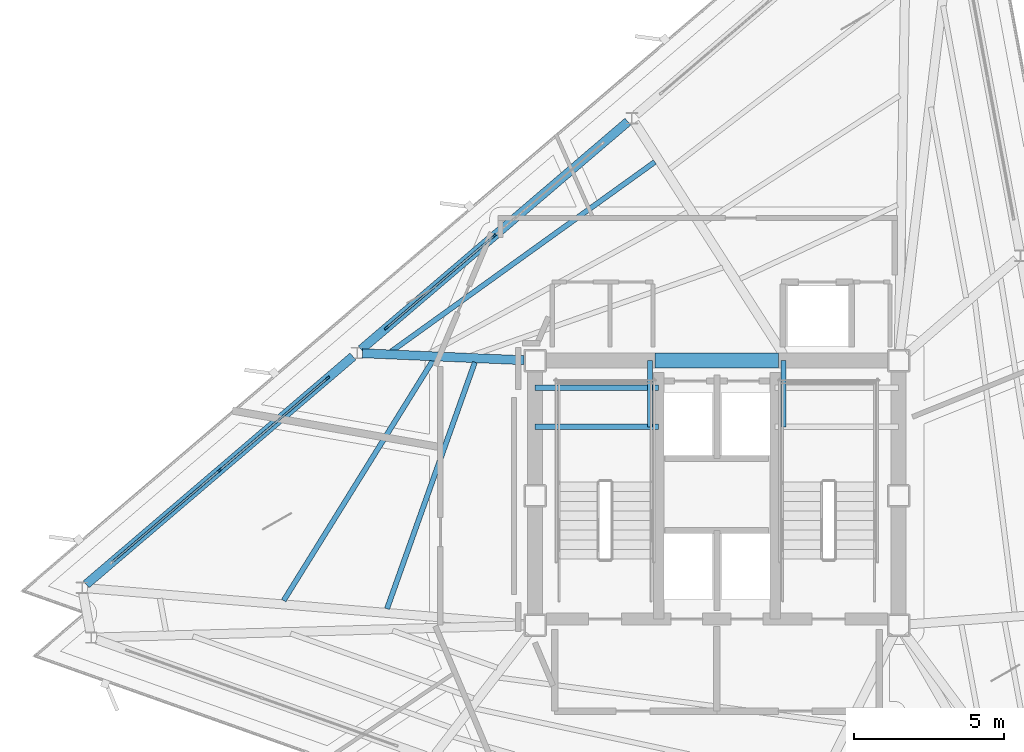
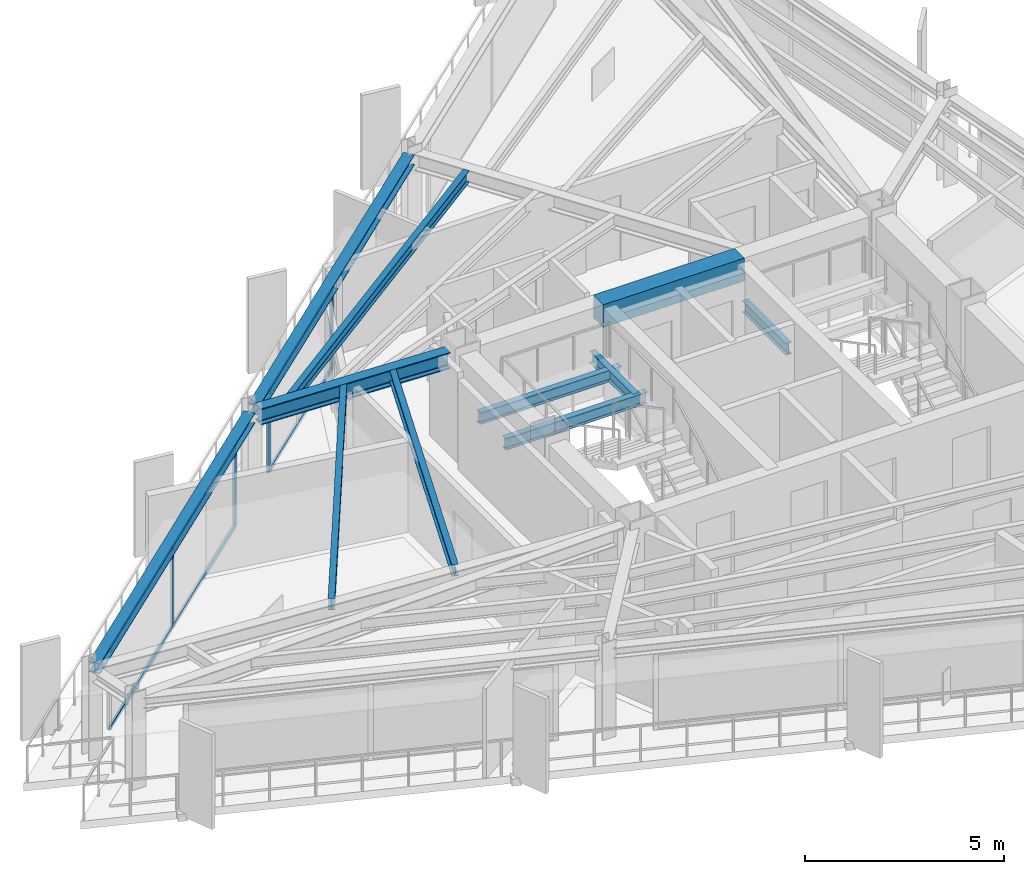
# One storey, part 4 of 14: 11 beams, 10 members, 2 elements without a shape of their own.
"""IFC4 building model written with IfcOpenShell, lengths in metres."""

from ifc_helpers import new_model, si_unit, direction, frame, origin, origin_2d, place, context, subcontext, project, spatial, rectangle, i_section, extrude, material, layer, layer_set, material_profile, profile_set, type_object, element, aggregate, save


model = new_model("IFC4")

# Units and contexts
model_context = context("Model", 3, precision=1e-05, world=origin(), true_north=direction((0.0, 1.0)))
body_context = subcontext(model_context, "Body", "Model", "MODEL_VIEW")
ifc_project = project(units=[si_unit("LENGTHUNIT", "METRE"), si_unit("AREAUNIT", "SQUARE_METRE"), si_unit("VOLUMEUNIT", "CUBIC_METRE"), si_unit("PLANEANGLEUNIT", "RADIAN"), si_unit("MASSUNIT", "GRAM", prefix="KILO")], contexts=[model_context])

# Site, building, storey
site_placement = place(None, origin())
site = spatial("IfcSite", under=ifc_project, at=site_placement, CompositionType="ELEMENT")
building_placement = place(site_placement, origin())
building = spatial("IfcBuilding", under=site, at=building_placement, Name="Rocaltana Carrier Exchange", CompositionType="ELEMENT")
storey_placement = place(building_placement, frame((0.0, 0.0, 187.52001953125)))
storey = spatial("IfcBuildingStorey", under=building, at=storey_placement, Name="L59", CompositionType="ELEMENT", Elevation=187.52001953125)

# Curtain wall, members
ifc_material_1 = material(Name="Aluminium 6063-T6", Category="aluminium")
ifc_layer = layer(ifc_material_1, 0.135009765625)
ifc_layer_set = layer_set([ifc_layer], Name="Aluminium 6063-T6")
curtain_wall_type = type_object("IfcCurtainWallType", Name="Upper-Mid Acoustic Curtain Wall CW-04", PredefinedType="NOTDEFINED", material=ifc_layer_set)
curtain_wall_1_placement = place(storey_placement, origin())
curtain_wall_1 = element("IfcCurtainWall", 1, at=curtain_wall_1_placement, inside=storey, type_object=curtain_wall_type, Name="L59 CW-04 Run CW-L59-F2S2", PredefinedType="NOTDEFINED")
ifc_material_2 = material(Name="Aluminium 6063-T6", Category="aluminium")
ifc_material_profile_1 = material_profile(ifc_material_2, rectangle(XDim=0.06494140625, YDim=0.135009765625, at=origin_2d()), Name="AL-65X135")
ifc_profile_set_1 = profile_set([ifc_material_profile_1], Name="Aluminium 6063-T6")
member_type_1 = type_object("IfcMemberType", Name="CW-04 Mullion AL-65X135", PredefinedType="MULLION", material=ifc_profile_set_1)
member_1_placement = place(storey_placement, frame((-7.39990234375, 8.6640625, 0.0), z_axis=(0.0, 0.0, 1.0), x_axis=(0.649454010067, -0.760400873756, 0.0)))
member_1 = element("IfcMember", 2, at=member_1_placement, type_object=member_type_1, Name="CW-04 mullion 2", PredefinedType="MULLION", context=body_context, shape_type="SweptSolid", body=[
    extrude(rectangle(XDim=0.06494140625, YDim=0.135009765625, at=origin_2d()), origin(), (0.0, 0.0, 1.0), 2.447998046875),
])
member_2_placement = place(storey_placement, frame((-10.999755859375, 5.58935546875, 0.0), z_axis=(0.0, 0.0, 1.0), x_axis=(0.649454010067, -0.760400873756, 0.0)))
member_2 = element("IfcMember", 3, at=member_2_placement, type_object=member_type_1, Name="CW-04 mullion 3", PredefinedType="MULLION", context=body_context, shape_type="SweptSolid", body=[
    extrude(rectangle(XDim=0.06494140625, YDim=0.135009765625, at=origin_2d()), origin(), (0.0, 0.0, 1.0), 2.447998046875),
])

curtain_wall_2_placement = place(storey_placement, origin())
curtain_wall_2 = element("IfcCurtainWall", 4, at=curtain_wall_2_placement, inside=storey, type_object=curtain_wall_type, Name="L59 CW-04 Run CW-L59-F2S3", PredefinedType="NOTDEFINED")
member_3_placement = place(storey_placement, frame((-12.9501953125, 3.923583984375, 0.0), z_axis=(0.0, 0.0, 1.0), x_axis=(0.649447944918, -0.760406053922, 0.0)))
member_3 = element("IfcMember", 5, at=member_3_placement, type_object=member_type_1, Name="CW-04 mullion 1", PredefinedType="MULLION", context=body_context, shape_type="SweptSolid", body=[
    extrude(rectangle(XDim=0.06494140625, YDim=0.135009765625, at=origin_2d()), origin(), (0.0, 0.0, 1.0), 2.447998046875),
])
member_4_placement = place(storey_placement, frame((-16.550048828125, 0.84912109375, 0.0), z_axis=(0.0, 0.0, 1.0), x_axis=(0.649447944918, -0.760406053922, 0.0)))
member_4 = element("IfcMember", 6, at=member_4_placement, type_object=member_type_1, Name="CW-04 mullion 2", PredefinedType="MULLION", context=body_context, shape_type="SweptSolid", body=[
    extrude(rectangle(XDim=0.06494140625, YDim=0.135009765625, at=origin_2d()), origin(), (0.0, 0.0, 1.0), 2.447998046875),
])

# Member
ifc_material_3 = material(Name="Aluminium 6063-T6", Category="aluminium")
ifc_material_profile_2 = material_profile(ifc_material_3, rectangle(XDim=0.06494140625, YDim=0.135009765625, at=origin_2d()), Name="AL-65X135")
ifc_profile_set_2 = profile_set([ifc_material_profile_2], Name="Aluminium 6063-T6")
member_type_2 = type_object("IfcMemberType", Name="CW-04 Transom AL-65X135", PredefinedType="USERDEFINED", material=ifc_profile_set_2)
member_5_placement = place(storey_placement, frame((-7.424560546875, 8.642822265625, 0.032470703125), z_axis=(-0.760407032825, -0.649446798768, 0.0), x_axis=(0.649446798768, -0.760407032825, 0.0)))
member_5 = element("IfcMember", 7, at=member_5_placement, type_object=member_type_2, Name="CW-04 transom 2.1", ObjectType="TRANSOM", PredefinedType="USERDEFINED", context=body_context, shape_type="SweptSolid", body=[
    extrude(rectangle(XDim=0.06494140625, YDim=0.135009765625, at=origin_2d()), origin(), (0.0, 0.0, 1.0), 4.6689453125),
])

member_6_placement = place(storey_placement, frame((-7.424560546875, 8.642822265625, 2.41552734375), z_axis=(-0.760407032825, -0.649446798768, 0.0), x_axis=(0.649446798768, -0.760407032825, 0.0)))
member_6 = element("IfcMember", 8, at=member_6_placement, type_object=member_type_2, Name="CW-04 transom 2.2", ObjectType="TRANSOM", PredefinedType="USERDEFINED", context=body_context, shape_type="SweptSolid", body=[
    extrude(rectangle(XDim=0.06494140625, YDim=0.135009765625, at=origin_2d()), origin(), (0.0, 0.0, 1.0), 4.6689453125),
])

aggregate(curtain_wall_1, [member_1, member_2, member_5, member_6])

member_7_placement = place(storey_placement, frame((-12.974853515625, 3.902587890625, 0.032470703125), z_axis=(-0.760403264899, -0.649451210432, 0.0), x_axis=(0.649451210432, -0.760403264899, 0.0)))
member_7 = element("IfcMember", 9, at=member_7_placement, type_object=member_type_2, Name="CW-04 transom 1.1", ObjectType="TRANSOM", PredefinedType="USERDEFINED", context=body_context, shape_type="SweptSolid", body=[
    extrude(rectangle(XDim=0.06494140625, YDim=0.135009765625, at=origin_2d()), origin(), (0.0, 0.0, 1.0), 4.669189453125),
])

member_8_placement = place(storey_placement, frame((-12.974853515625, 3.902587890625, 2.41552734375), z_axis=(-0.760403264899, -0.649451210432, 0.0), x_axis=(0.649451210432, -0.760403264899, 0.0)))
member_8 = element("IfcMember", 10, at=member_8_placement, type_object=member_type_2, Name="CW-04 transom 1.2", ObjectType="TRANSOM", PredefinedType="USERDEFINED", context=body_context, shape_type="SweptSolid", body=[
    extrude(rectangle(XDim=0.06494140625, YDim=0.135009765625, at=origin_2d()), origin(), (0.0, 0.0, 1.0), 4.669189453125),
])

member_9_placement = place(storey_placement, frame((-16.57470703125, 0.827880859375, 0.032470703125), z_axis=(-0.760403264899, -0.649451210432, 0.0), x_axis=(0.649451210432, -0.760403264899, 0.0)))
member_9 = element("IfcMember", 11, at=member_9_placement, type_object=member_type_2, Name="CW-04 transom 2.1", ObjectType="TRANSOM", PredefinedType="USERDEFINED", context=body_context, shape_type="SweptSolid", body=[
    extrude(rectangle(XDim=0.06494140625, YDim=0.135009765625, at=origin_2d()), origin(), (0.0, 0.0, 1.0), 4.669189453125),
])

member_10_placement = place(storey_placement, frame((-16.57470703125, 0.827880859375, 2.41552734375), z_axis=(-0.760403264899, -0.649451210432, 0.0), x_axis=(0.649451210432, -0.760403264899, 0.0)))
member_10 = element("IfcMember", 12, at=member_10_placement, type_object=member_type_2, Name="CW-04 transom 2.2", ObjectType="TRANSOM", PredefinedType="USERDEFINED", context=body_context, shape_type="SweptSolid", body=[
    extrude(rectangle(XDim=0.06494140625, YDim=0.135009765625, at=origin_2d()), origin(), (0.0, 0.0, 1.0), 4.669189453125),
])

aggregate(curtain_wall_2, [member_3, member_4, member_7, member_8, member_9, member_10])

# Beams
ifc_material_4 = material(Name="Concrete C60/75", Category="concrete")
ifc_material_profile_3 = material_profile(ifc_material_4, rectangle(XDim=0.5, YDim=0.699951171875, at=origin_2d()), Name="RC-BM-500X700")
ifc_profile_set_3 = profile_set([ifc_material_profile_3], Name="Concrete C60/75")
beam_type_1 = type_object("IfcBeamType", Name="Core Coupling Lintel 500x700", PredefinedType="LINTEL", material=ifc_profile_set_3)
beam_1_placement = place(storey_placement, frame((-2.050048828125, 4.5, 2.447998046875), z_axis=(1.0, 0.0, 0.0), x_axis=(0.0, 1.0, 0.0)))
element("IfcBeam", 13, at=beam_1_placement, inside=storey, type_object=beam_type_1, Name="L59 Core Coupling Lintel CL-N", PredefinedType="LINTEL", context=body_context, shape_type="SweptSolid", body=[
    extrude(rectangle(XDim=0.5, YDim=0.699951171875, at=origin_2d()), origin(), (0.0, 0.0, 1.0), 4.10009765625),
])
ifc_material_5 = material(Name="Steel S355", Category="steel")
ifc_material_profile_4 = material_profile(ifc_material_5, i_section(OverallWidth=0.172119140625, OverallDepth=0.35791015625, WebThickness=0.0078125, FlangeThickness=0.01318359375, FilletRadius=0.011962890625, at=origin_2d()), Name="W14X38")
ifc_profile_set_4 = profile_set([ifc_material_profile_4], Name="Steel S355")
beam_type_2 = type_object("IfcBeamType", Name="Floor Joist W14X38", PredefinedType="JOIST", material=ifc_profile_set_4)
for number, where, z_axis, x_axis, name in (
    (14, (-6.050048828125, 2.300048828125, 1.140869140625), (1.0, 0.0, 0.0), (0.0, 1.0, 0.0), "L59 ST-1 Landing Carrier 1"),
    (15, (-6.050048828125, 3.60009765625, 1.140869140625), (1.0, 0.0, 0.0), (0.0, 1.0, 0.0), "L59 ST-1 Landing Carrier 2"),
):
    element("IfcBeam", number, at=place(storey_placement, frame(where, z_axis=z_axis, x_axis=x_axis)), inside=storey, type_object=beam_type_2, Name=name, PredefinedType="JOIST", context=body_context, shape_type="SweptSolid", body=[
        extrude(i_section(OverallWidth=0.172119140625, OverallDepth=0.35791015625, WebThickness=0.0078125, FlangeThickness=0.01318359375, FilletRadius=0.011962890625, at=origin_2d()), origin(), (0.0, 0.0, 1.0), 4.110107421875),
    ])
for number, where, z_axis, x_axis, name in (
    (16, (-2.219970703125, 2.300048828125, 1.140869140625), (0.0, 1.0, 0.0), (-1.0, 0.0, 0.0), "L59 ST-1 Landing Cross Trimmer"),
    (17, (2.219970703125, 2.300048828125, 1.140869140625), (0.0, 1.0, 0.0), (-1.0, 0.0, 0.0), "L59 ST-2 Landing Cross Trimmer"),
):
    element("IfcBeam", number, at=place(storey_placement, frame(where, z_axis=z_axis, x_axis=x_axis)), inside=storey, type_object=beam_type_2, Name=name, PredefinedType="JOIST", context=body_context, shape_type="SweptSolid", body=[
        extrude(i_section(OverallWidth=0.172119140625, OverallDepth=0.35791015625, WebThickness=0.0078125, FlangeThickness=0.01318359375, FilletRadius=0.011962890625, at=origin_2d()), origin(), (0.0, 0.0, 1.0), 2.199951171875),
    ])
beam_2_placement = place(storey_placement, frame((-2.06201171875, 11.115478515625, 2.618896484375), z_axis=(-0.811946552353, -0.583731784402, 0.0), x_axis=(0.583731784402, -0.811946552353, 0.0)))
element("IfcBeam", 18, at=beam_2_placement, inside=storey, type_object=beam_type_2, Name="FJ-L59-06-3", PredefinedType="JOIST", context=body_context, shape_type="SweptSolid", body=[
    extrude(i_section(OverallWidth=0.172119140625, OverallDepth=0.35791015625, WebThickness=0.0078125, FlangeThickness=0.01318359375, FilletRadius=0.011962890625, at=origin_2d()), origin(), (0.0, 0.0, 1.0), 10.823974609375),
])
beam_3_placement = place(storey_placement, frame((-8.053466796875, 4.448974609375, 2.618896484375), z_axis=(-0.335647261926, -0.941987747034, 0.0), x_axis=(0.941987747034, -0.335647261926, 0.0)))
element("IfcBeam", 19, at=beam_3_placement, inside=storey, type_object=beam_type_2, Name="FJ-L59-07-1", PredefinedType="JOIST", context=body_context, shape_type="SweptSolid", body=[
    extrude(i_section(OverallWidth=0.172119140625, OverallDepth=0.35791015625, WebThickness=0.0078125, FlangeThickness=0.01318359375, FilletRadius=0.011962890625, at=origin_2d()), origin(), (0.0, 0.0, 1.0), 8.708740234375),
])
beam_4_placement = place(storey_placement, frame((-9.44384765625, 4.521240234375, 2.618896484375), z_axis=(-0.527698214699, -0.849431924408, 0.0), x_axis=(0.849431924408, -0.527698214699, 0.0)))
element("IfcBeam", 20, at=beam_4_placement, inside=storey, type_object=beam_type_2, Name="FJ-L59-07-2", PredefinedType="JOIST", context=body_context, shape_type="SweptSolid", body=[
    extrude(i_section(OverallWidth=0.172119140625, OverallDepth=0.35791015625, WebThickness=0.0078125, FlangeThickness=0.01318359375, FilletRadius=0.011962890625, at=origin_2d()), origin(), (0.0, 0.0, 1.0), 9.42236328125),
])
ifc_material_6 = material(Name="Steel S355", Category="steel")
ifc_material_profile_5 = material_profile(ifc_material_6, i_section(OverallWidth=0.300048828125, OverallDepth=0.320068359375, WebThickness=0.011474609375, FlangeThickness=0.0205078125, FilletRadius=0.027099609375, at=origin_2d()), Name="HEB320")
ifc_profile_set_5 = profile_set([ifc_material_profile_5], Name="Steel S355")
beam_type_3 = type_object("IfcBeamType", Name="Spandrel Edge Beam HEB320", PredefinedType="SPANDREL", material=ifc_profile_set_5)
for number, where, z_axis, x_axis, name in (
    (21, (-2.961181640625, 12.455078125, 2.637939453125), (-0.760397990692, -0.649457385631, 0.0), (0.649457385631, -0.760397990692, 0.0), "SP-L59-06"),
    (22, (-12.111328125, 4.639892578125, 2.637939453125), (-0.760408318274, -0.649445293693, 0.0), (0.649445293693, -0.760408318274, 0.0), "SP-L59-07"),
):
    element("IfcBeam", number, at=place(storey_placement, frame(where, z_axis=z_axis, x_axis=x_axis)), inside=storey, type_object=beam_type_3, Name=name, PredefinedType="SPANDREL", context=body_context, shape_type="SweptSolid", body=[
        extrude(i_section(OverallWidth=0.300048828125, OverallDepth=0.320068359375, WebThickness=0.011474609375, FlangeThickness=0.0205078125, FilletRadius=0.027099609375, at=origin_2d()), origin(), (0.0, 0.0, 1.0), 11.67431640625),
    ])
ifc_material_7 = material(Name="Steel S355", Category="steel")
ifc_material_profile_6 = material_profile(ifc_material_7, i_section(OverallWidth=0.300048828125, OverallDepth=0.5, WebThickness=0.014404296875, FlangeThickness=0.028076171875, FilletRadius=0.027099609375, at=origin_2d()), Name="HEB500")
ifc_profile_set_6 = profile_set([ifc_material_profile_6], Name="Steel S355")
beam_type_4 = type_object("IfcBeamType", Name="Upper Radial Girder HEB500", PredefinedType="BEAM", material=ifc_profile_set_6)
beam_5_placement = place(storey_placement, frame((-6.416748046875, 4.515869140625, 2.548095703125), z_axis=(-0.999063842927, 0.043260117382, 0.0), x_axis=(-0.043260117382, -0.999063842927, 0.0)))
element("IfcBeam", 23, at=beam_5_placement, inside=storey, type_object=beam_type_4, Name="RG-L59-07", PredefinedType="BEAM", context=body_context, shape_type="SweptSolid", body=[
    extrude(i_section(OverallWidth=0.300048828125, OverallDepth=0.5, WebThickness=0.014404296875, FlangeThickness=0.028076171875, FilletRadius=0.027099609375, at=origin_2d()), origin(), (0.0, 0.0, 1.0), 5.384033203125),
])

save(model, "model.ifc")
